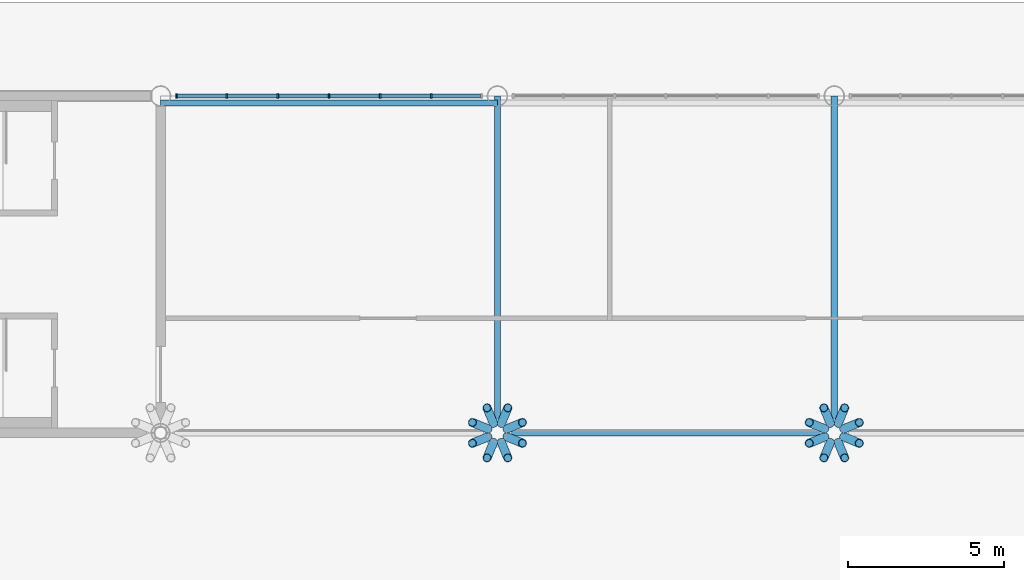
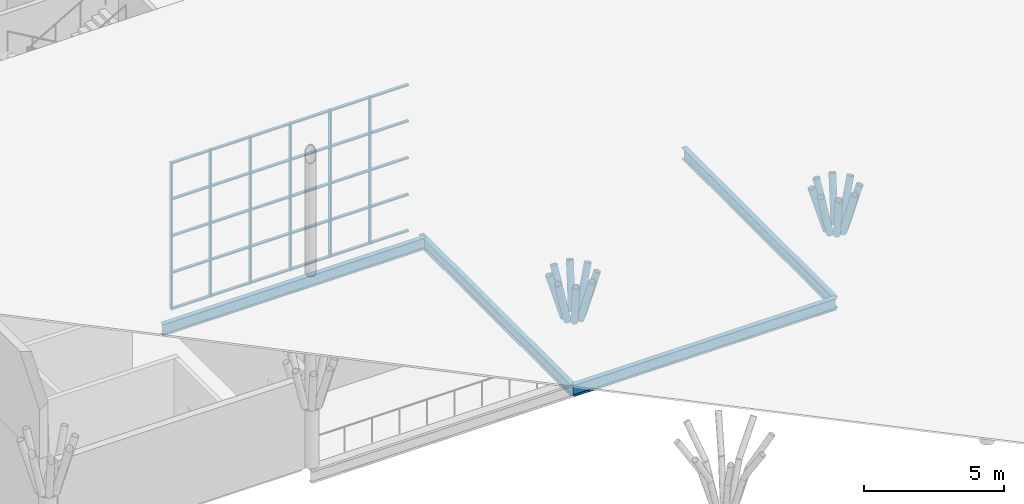
# One storey, part 12 of 56: 52 members, 4 beams, 1 element without a shape of its own.
"""IFC4 building model written with IfcOpenShell, lengths in metres."""

from ifc_helpers import new_model, si_unit, direction, frame, origin, origin_2d, place, context, subcontext, project, spatial, rectangle, hollow_circle, i_section, extrude, material, layer, layer_set, material_profile, profile_set, type_object, element, aggregate, save


model = new_model("IFC4")

# Units and contexts
model_context = context("Model", 3, precision=1e-05, world=origin(), true_north=direction((0.0, 1.0)))
body_context = subcontext(model_context, "Body", "Model", "MODEL_VIEW")
ifc_project = project(units=[si_unit("LENGTHUNIT", "METRE"), si_unit("AREAUNIT", "SQUARE_METRE"), si_unit("VOLUMEUNIT", "CUBIC_METRE"), si_unit("PLANEANGLEUNIT", "RADIAN"), si_unit("MASSUNIT", "GRAM", prefix="KILO")], contexts=[model_context])

# Site, building, storey
site_placement = place(None, origin())
site = spatial("IfcSite", under=ifc_project, at=site_placement, CompositionType="ELEMENT")
building_placement = place(site_placement, origin())
building = spatial("IfcBuilding", under=site, at=building_placement, Name="Magnolia Steps Interchange", CompositionType="ELEMENT")
storey_placement = place(building_placement, frame((0.0, 0.0, 8.699951171875)))
storey = spatial("IfcBuildingStorey", under=building, at=storey_placement, Name="L02", CompositionType="ELEMENT", Elevation=8.699951171875)

# Curtain wall, members
ifc_material_1 = material(Name="Powder-coated aluminium and glass", Category="aluminium")
ifc_layer = layer(ifc_material_1, 0.1201171875)
ifc_layer_set = layer_set([ifc_layer], Name="Hall clerestory curtain wall")
curtain_wall_type = type_object("IfcCurtainWallType", Name="Hall clerestory curtain wall", PredefinedType="NOTDEFINED", material=ifc_layer_set)
curtain_wall_placement = place(storey_placement, origin())
curtain_wall = element("IfcCurtainWall", 1, at=curtain_wall_placement, inside=storey, type_object=curtain_wall_type, Name="Hall clerestory N2", PredefinedType="NOTDEFINED")
ifc_material_2 = material(Name="White powder-coated aluminium", Category="aluminium")
ifc_material_profile_1 = material_profile(ifc_material_2, rectangle(XDim=0.06005859375, YDim=0.14990234375, at=origin_2d()), Name="Aluminium mullion 60 x 150")
ifc_profile_set_1 = profile_set([ifc_material_profile_1], Name="White powder-coated aluminium")
member_type_1 = type_object("IfcMemberType", Name="Aluminium mullion 60 x 150", PredefinedType="MULLION", material=ifc_profile_set_1)
member_1_placement = place(storey_placement, frame((64.510009765625, 85.60009765625, 0.0), z_axis=(0.0, 0.0, 1.0), x_axis=(1.0, 0.0, 0.0)))
member_1 = element("IfcMember", 2, at=member_1_placement, type_object=member_type_1, Name="CW6 mullion 1", PredefinedType="MULLION", context=body_context, shape_type="SweptSolid", body=[
    extrude(rectangle(XDim=0.06005859375, YDim=0.14990234375, at=origin_2d()), origin(), (0.0, 0.0, 1.0), 6.400146484375),
])
member_2_placement = place(storey_placement, frame((66.1201171875, 85.60009765625, 0.0), z_axis=(0.0, 0.0, 1.0), x_axis=(1.0, 0.0, 0.0)))
member_2 = element("IfcMember", 3, at=member_2_placement, type_object=member_type_1, Name="CW6 mullion 2", PredefinedType="MULLION", context=body_context, shape_type="SweptSolid", body=[
    extrude(rectangle(XDim=0.06005859375, YDim=0.14990234375, at=origin_2d()), origin(), (0.0, 0.0, 1.0), 6.400146484375),
])
member_3_placement = place(storey_placement, frame((67.760009765625, 85.60009765625, 0.0), z_axis=(0.0, 0.0, 1.0), x_axis=(1.0, 0.0, 0.0)))
member_3 = element("IfcMember", 4, at=member_3_placement, type_object=member_type_1, Name="CW6 mullion 3", PredefinedType="MULLION", context=body_context, shape_type="SweptSolid", body=[
    extrude(rectangle(XDim=0.06005859375, YDim=0.14990234375, at=origin_2d()), origin(), (0.0, 0.0, 1.0), 6.400146484375),
])
member_4_placement = place(storey_placement, frame((69.39990234375, 85.60009765625, 0.0), z_axis=(0.0, 0.0, 1.0), x_axis=(1.0, 0.0, 0.0)))
member_4 = element("IfcMember", 5, at=member_4_placement, type_object=member_type_1, Name="CW6 mullion 4", PredefinedType="MULLION", context=body_context, shape_type="SweptSolid", body=[
    extrude(rectangle(XDim=0.06005859375, YDim=0.14990234375, at=origin_2d()), origin(), (0.0, 0.0, 1.0), 6.400146484375),
])
member_5_placement = place(storey_placement, frame((71.0400390625, 85.60009765625, 0.0), z_axis=(0.0, 0.0, 1.0), x_axis=(1.0, 0.0, 0.0)))
member_5 = element("IfcMember", 6, at=member_5_placement, type_object=member_type_1, Name="CW6 mullion 5", PredefinedType="MULLION", context=body_context, shape_type="SweptSolid", body=[
    extrude(rectangle(XDim=0.06005859375, YDim=0.14990234375, at=origin_2d()), origin(), (0.0, 0.0, 1.0), 6.400146484375),
])
member_6_placement = place(storey_placement, frame((72.679931640625, 85.60009765625, 0.0), z_axis=(0.0, 0.0, 1.0), x_axis=(1.0, 0.0, 0.0)))
member_6 = element("IfcMember", 7, at=member_6_placement, type_object=member_type_1, Name="CW6 mullion 6", PredefinedType="MULLION", context=body_context, shape_type="SweptSolid", body=[
    extrude(rectangle(XDim=0.06005859375, YDim=0.14990234375, at=origin_2d()), origin(), (0.0, 0.0, 1.0), 6.400146484375),
])
ifc_material_3 = material(Name="White powder-coated aluminium", Category="aluminium")
ifc_material_profile_2 = material_profile(ifc_material_3, rectangle(XDim=0.06005859375, YDim=0.1201171875, at=origin_2d()), Name="Aluminium transom 60 x 120")
ifc_profile_set_2 = profile_set([ifc_material_profile_2], Name="White powder-coated aluminium")
member_type_2 = type_object("IfcMemberType", Name="Aluminium transom 60 x 120", PredefinedType="USERDEFINED", material=ifc_profile_set_2)
member_7_placement = place(storey_placement, frame((64.5400390625, 85.60009765625, 0.030029296875), z_axis=(1.0, 0.0, 0.0), x_axis=(0.0, 0.0, 1.0)))
member_7 = element("IfcMember", 8, at=member_7_placement, type_object=member_type_2, Name="CW6 transom 1.1", ObjectType="TRANSOM", PredefinedType="USERDEFINED", context=body_context, shape_type="SweptSolid", body=[
    extrude(rectangle(XDim=0.06005859375, YDim=0.1201171875, at=origin_2d()), origin(), (0.0, 0.0, 1.0), 1.550048828125),
])
member_8_placement = place(storey_placement, frame((64.5400390625, 85.60009765625, 1.60009765625), z_axis=(1.0, 0.0, 0.0), x_axis=(0.0, 0.0, 1.0)))
member_8 = element("IfcMember", 9, at=member_8_placement, type_object=member_type_2, Name="CW6 transom 1.2", ObjectType="TRANSOM", PredefinedType="USERDEFINED", context=body_context, shape_type="SweptSolid", body=[
    extrude(rectangle(XDim=0.06005859375, YDim=0.1201171875, at=origin_2d()), origin(), (0.0, 0.0, 1.0), 1.550048828125),
])
member_9_placement = place(storey_placement, frame((64.5400390625, 85.60009765625, 3.199951171875), z_axis=(1.0, 0.0, 0.0), x_axis=(0.0, 0.0, 1.0)))
member_9 = element("IfcMember", 10, at=member_9_placement, type_object=member_type_2, Name="CW6 transom 1.3", ObjectType="TRANSOM", PredefinedType="USERDEFINED", context=body_context, shape_type="SweptSolid", body=[
    extrude(rectangle(XDim=0.06005859375, YDim=0.1201171875, at=origin_2d()), origin(), (0.0, 0.0, 1.0), 1.550048828125),
])
member_10_placement = place(storey_placement, frame((64.5400390625, 85.60009765625, 4.800048828125), z_axis=(1.0, 0.0, 0.0), x_axis=(0.0, 0.0, 1.0)))
member_10 = element("IfcMember", 11, at=member_10_placement, type_object=member_type_2, Name="CW6 transom 1.4", ObjectType="TRANSOM", PredefinedType="USERDEFINED", context=body_context, shape_type="SweptSolid", body=[
    extrude(rectangle(XDim=0.06005859375, YDim=0.1201171875, at=origin_2d()), origin(), (0.0, 0.0, 1.0), 1.550048828125),
])
member_11_placement = place(storey_placement, frame((64.5400390625, 85.60009765625, 6.3701171875), z_axis=(1.0, 0.0, 0.0), x_axis=(0.0, 0.0, 1.0)))
member_11 = element("IfcMember", 12, at=member_11_placement, type_object=member_type_2, Name="CW6 transom 1.5", ObjectType="TRANSOM", PredefinedType="USERDEFINED", context=body_context, shape_type="SweptSolid", body=[
    extrude(rectangle(XDim=0.06005859375, YDim=0.1201171875, at=origin_2d()), origin(), (0.0, 0.0, 1.0), 1.550048828125),
])
member_12_placement = place(storey_placement, frame((66.14990234375, 85.60009765625, 0.030029296875), z_axis=(1.0, 0.0, 0.0), x_axis=(0.0, 0.0, 1.0)))
member_12 = element("IfcMember", 13, at=member_12_placement, type_object=member_type_2, Name="CW6 transom 2.1", ObjectType="TRANSOM", PredefinedType="USERDEFINED", context=body_context, shape_type="SweptSolid", body=[
    extrude(rectangle(XDim=0.06005859375, YDim=0.1201171875, at=origin_2d()), origin(), (0.0, 0.0, 1.0), 1.580078125),
])
member_13_placement = place(storey_placement, frame((66.14990234375, 85.60009765625, 1.60009765625), z_axis=(1.0, 0.0, 0.0), x_axis=(0.0, 0.0, 1.0)))
member_13 = element("IfcMember", 14, at=member_13_placement, type_object=member_type_2, Name="CW6 transom 2.2", ObjectType="TRANSOM", PredefinedType="USERDEFINED", context=body_context, shape_type="SweptSolid", body=[
    extrude(rectangle(XDim=0.06005859375, YDim=0.1201171875, at=origin_2d()), origin(), (0.0, 0.0, 1.0), 1.580078125),
])
member_14_placement = place(storey_placement, frame((66.14990234375, 85.60009765625, 3.199951171875), z_axis=(1.0, 0.0, 0.0), x_axis=(0.0, 0.0, 1.0)))
member_14 = element("IfcMember", 15, at=member_14_placement, type_object=member_type_2, Name="CW6 transom 2.3", ObjectType="TRANSOM", PredefinedType="USERDEFINED", context=body_context, shape_type="SweptSolid", body=[
    extrude(rectangle(XDim=0.06005859375, YDim=0.1201171875, at=origin_2d()), origin(), (0.0, 0.0, 1.0), 1.580078125),
])
member_15_placement = place(storey_placement, frame((66.14990234375, 85.60009765625, 4.800048828125), z_axis=(1.0, 0.0, 0.0), x_axis=(0.0, 0.0, 1.0)))
member_15 = element("IfcMember", 16, at=member_15_placement, type_object=member_type_2, Name="CW6 transom 2.4", ObjectType="TRANSOM", PredefinedType="USERDEFINED", context=body_context, shape_type="SweptSolid", body=[
    extrude(rectangle(XDim=0.06005859375, YDim=0.1201171875, at=origin_2d()), origin(), (0.0, 0.0, 1.0), 1.580078125),
])
member_16_placement = place(storey_placement, frame((66.14990234375, 85.60009765625, 6.3701171875), z_axis=(1.0, 0.0, 0.0), x_axis=(0.0, 0.0, 1.0)))
member_16 = element("IfcMember", 17, at=member_16_placement, type_object=member_type_2, Name="CW6 transom 2.5", ObjectType="TRANSOM", PredefinedType="USERDEFINED", context=body_context, shape_type="SweptSolid", body=[
    extrude(rectangle(XDim=0.06005859375, YDim=0.1201171875, at=origin_2d()), origin(), (0.0, 0.0, 1.0), 1.580078125),
])
member_17_placement = place(storey_placement, frame((67.7900390625, 85.60009765625, 0.030029296875), z_axis=(1.0, 0.0, 0.0), x_axis=(0.0, 0.0, 1.0)))
member_17 = element("IfcMember", 18, at=member_17_placement, type_object=member_type_2, Name="CW6 transom 3.1", ObjectType="TRANSOM", PredefinedType="USERDEFINED", context=body_context, shape_type="SweptSolid", body=[
    extrude(rectangle(XDim=0.06005859375, YDim=0.1201171875, at=origin_2d()), origin(), (0.0, 0.0, 1.0), 1.580078125),
])
member_18_placement = place(storey_placement, frame((67.7900390625, 85.60009765625, 1.60009765625), z_axis=(1.0, 0.0, 0.0), x_axis=(0.0, 0.0, 1.0)))
member_18 = element("IfcMember", 19, at=member_18_placement, type_object=member_type_2, Name="CW6 transom 3.2", ObjectType="TRANSOM", PredefinedType="USERDEFINED", context=body_context, shape_type="SweptSolid", body=[
    extrude(rectangle(XDim=0.06005859375, YDim=0.1201171875, at=origin_2d()), origin(), (0.0, 0.0, 1.0), 1.580078125),
])
member_19_placement = place(storey_placement, frame((67.7900390625, 85.60009765625, 3.199951171875), z_axis=(1.0, 0.0, 0.0), x_axis=(0.0, 0.0, 1.0)))
member_19 = element("IfcMember", 20, at=member_19_placement, type_object=member_type_2, Name="CW6 transom 3.3", ObjectType="TRANSOM", PredefinedType="USERDEFINED", context=body_context, shape_type="SweptSolid", body=[
    extrude(rectangle(XDim=0.06005859375, YDim=0.1201171875, at=origin_2d()), origin(), (0.0, 0.0, 1.0), 1.580078125),
])
member_20_placement = place(storey_placement, frame((67.7900390625, 85.60009765625, 4.800048828125), z_axis=(1.0, 0.0, 0.0), x_axis=(0.0, 0.0, 1.0)))
member_20 = element("IfcMember", 21, at=member_20_placement, type_object=member_type_2, Name="CW6 transom 3.4", ObjectType="TRANSOM", PredefinedType="USERDEFINED", context=body_context, shape_type="SweptSolid", body=[
    extrude(rectangle(XDim=0.06005859375, YDim=0.1201171875, at=origin_2d()), origin(), (0.0, 0.0, 1.0), 1.580078125),
])
member_21_placement = place(storey_placement, frame((67.7900390625, 85.60009765625, 6.3701171875), z_axis=(1.0, 0.0, 0.0), x_axis=(0.0, 0.0, 1.0)))
member_21 = element("IfcMember", 22, at=member_21_placement, type_object=member_type_2, Name="CW6 transom 3.5", ObjectType="TRANSOM", PredefinedType="USERDEFINED", context=body_context, shape_type="SweptSolid", body=[
    extrude(rectangle(XDim=0.06005859375, YDim=0.1201171875, at=origin_2d()), origin(), (0.0, 0.0, 1.0), 1.580078125),
])
member_22_placement = place(storey_placement, frame((69.429931640625, 85.60009765625, 0.030029296875), z_axis=(1.0, 0.0, 0.0), x_axis=(0.0, 0.0, 1.0)))
member_22 = element("IfcMember", 23, at=member_22_placement, type_object=member_type_2, Name="CW6 transom 4.1", ObjectType="TRANSOM", PredefinedType="USERDEFINED", context=body_context, shape_type="SweptSolid", body=[
    extrude(rectangle(XDim=0.06005859375, YDim=0.1201171875, at=origin_2d()), origin(), (0.0, 0.0, 1.0), 1.580078125),
])
member_23_placement = place(storey_placement, frame((69.429931640625, 85.60009765625, 1.60009765625), z_axis=(1.0, 0.0, 0.0), x_axis=(0.0, 0.0, 1.0)))
member_23 = element("IfcMember", 24, at=member_23_placement, type_object=member_type_2, Name="CW6 transom 4.2", ObjectType="TRANSOM", PredefinedType="USERDEFINED", context=body_context, shape_type="SweptSolid", body=[
    extrude(rectangle(XDim=0.06005859375, YDim=0.1201171875, at=origin_2d()), origin(), (0.0, 0.0, 1.0), 1.580078125),
])
member_24_placement = place(storey_placement, frame((69.429931640625, 85.60009765625, 3.199951171875), z_axis=(1.0, 0.0, 0.0), x_axis=(0.0, 0.0, 1.0)))
member_24 = element("IfcMember", 25, at=member_24_placement, type_object=member_type_2, Name="CW6 transom 4.3", ObjectType="TRANSOM", PredefinedType="USERDEFINED", context=body_context, shape_type="SweptSolid", body=[
    extrude(rectangle(XDim=0.06005859375, YDim=0.1201171875, at=origin_2d()), origin(), (0.0, 0.0, 1.0), 1.580078125),
])
member_25_placement = place(storey_placement, frame((69.429931640625, 85.60009765625, 4.800048828125), z_axis=(1.0, 0.0, 0.0), x_axis=(0.0, 0.0, 1.0)))
member_25 = element("IfcMember", 26, at=member_25_placement, type_object=member_type_2, Name="CW6 transom 4.4", ObjectType="TRANSOM", PredefinedType="USERDEFINED", context=body_context, shape_type="SweptSolid", body=[
    extrude(rectangle(XDim=0.06005859375, YDim=0.1201171875, at=origin_2d()), origin(), (0.0, 0.0, 1.0), 1.580078125),
])
member_26_placement = place(storey_placement, frame((69.429931640625, 85.60009765625, 6.3701171875), z_axis=(1.0, 0.0, 0.0), x_axis=(0.0, 0.0, 1.0)))
member_26 = element("IfcMember", 27, at=member_26_placement, type_object=member_type_2, Name="CW6 transom 4.5", ObjectType="TRANSOM", PredefinedType="USERDEFINED", context=body_context, shape_type="SweptSolid", body=[
    extrude(rectangle(XDim=0.06005859375, YDim=0.1201171875, at=origin_2d()), origin(), (0.0, 0.0, 1.0), 1.580078125),
])
member_27_placement = place(storey_placement, frame((71.070068359375, 85.60009765625, 0.030029296875), z_axis=(1.0, 0.0, 0.0), x_axis=(0.0, 0.0, 1.0)))
member_27 = element("IfcMember", 28, at=member_27_placement, type_object=member_type_2, Name="CW6 transom 5.1", ObjectType="TRANSOM", PredefinedType="USERDEFINED", context=body_context, shape_type="SweptSolid", body=[
    extrude(rectangle(XDim=0.06005859375, YDim=0.1201171875, at=origin_2d()), origin(), (0.0, 0.0, 1.0), 1.579833984375),
])
member_28_placement = place(storey_placement, frame((71.070068359375, 85.60009765625, 1.60009765625), z_axis=(1.0, 0.0, 0.0), x_axis=(0.0, 0.0, 1.0)))
member_28 = element("IfcMember", 29, at=member_28_placement, type_object=member_type_2, Name="CW6 transom 5.2", ObjectType="TRANSOM", PredefinedType="USERDEFINED", context=body_context, shape_type="SweptSolid", body=[
    extrude(rectangle(XDim=0.06005859375, YDim=0.1201171875, at=origin_2d()), origin(), (0.0, 0.0, 1.0), 1.579833984375),
])
member_29_placement = place(storey_placement, frame((71.070068359375, 85.60009765625, 3.199951171875), z_axis=(1.0, 0.0, 0.0), x_axis=(0.0, 0.0, 1.0)))
member_29 = element("IfcMember", 30, at=member_29_placement, type_object=member_type_2, Name="CW6 transom 5.3", ObjectType="TRANSOM", PredefinedType="USERDEFINED", context=body_context, shape_type="SweptSolid", body=[
    extrude(rectangle(XDim=0.06005859375, YDim=0.1201171875, at=origin_2d()), origin(), (0.0, 0.0, 1.0), 1.579833984375),
])
member_30_placement = place(storey_placement, frame((71.070068359375, 85.60009765625, 4.800048828125), z_axis=(1.0, 0.0, 0.0), x_axis=(0.0, 0.0, 1.0)))
member_30 = element("IfcMember", 31, at=member_30_placement, type_object=member_type_2, Name="CW6 transom 5.4", ObjectType="TRANSOM", PredefinedType="USERDEFINED", context=body_context, shape_type="SweptSolid", body=[
    extrude(rectangle(XDim=0.06005859375, YDim=0.1201171875, at=origin_2d()), origin(), (0.0, 0.0, 1.0), 1.579833984375),
])
member_31_placement = place(storey_placement, frame((71.070068359375, 85.60009765625, 6.3701171875), z_axis=(1.0, 0.0, 0.0), x_axis=(0.0, 0.0, 1.0)))
member_31 = element("IfcMember", 32, at=member_31_placement, type_object=member_type_2, Name="CW6 transom 5.5", ObjectType="TRANSOM", PredefinedType="USERDEFINED", context=body_context, shape_type="SweptSolid", body=[
    extrude(rectangle(XDim=0.06005859375, YDim=0.1201171875, at=origin_2d()), origin(), (0.0, 0.0, 1.0), 1.579833984375),
])
member_32_placement = place(storey_placement, frame((72.7099609375, 85.60009765625, 0.030029296875), z_axis=(1.0, 0.0, 0.0), x_axis=(0.0, 0.0, 1.0)))
member_32 = element("IfcMember", 33, at=member_32_placement, type_object=member_type_2, Name="CW6 transom 6.1", ObjectType="TRANSOM", PredefinedType="USERDEFINED", context=body_context, shape_type="SweptSolid", body=[
    extrude(rectangle(XDim=0.06005859375, YDim=0.1201171875, at=origin_2d()), origin(), (0.0, 0.0, 1.0), 1.550048828125),
])
member_33_placement = place(storey_placement, frame((72.7099609375, 85.60009765625, 1.60009765625), z_axis=(1.0, 0.0, 0.0), x_axis=(0.0, 0.0, 1.0)))
member_33 = element("IfcMember", 34, at=member_33_placement, type_object=member_type_2, Name="CW6 transom 6.2", ObjectType="TRANSOM", PredefinedType="USERDEFINED", context=body_context, shape_type="SweptSolid", body=[
    extrude(rectangle(XDim=0.06005859375, YDim=0.1201171875, at=origin_2d()), origin(), (0.0, 0.0, 1.0), 1.550048828125),
])
member_34_placement = place(storey_placement, frame((72.7099609375, 85.60009765625, 3.199951171875), z_axis=(1.0, 0.0, 0.0), x_axis=(0.0, 0.0, 1.0)))
member_34 = element("IfcMember", 35, at=member_34_placement, type_object=member_type_2, Name="CW6 transom 6.3", ObjectType="TRANSOM", PredefinedType="USERDEFINED", context=body_context, shape_type="SweptSolid", body=[
    extrude(rectangle(XDim=0.06005859375, YDim=0.1201171875, at=origin_2d()), origin(), (0.0, 0.0, 1.0), 1.550048828125),
])
member_35_placement = place(storey_placement, frame((72.7099609375, 85.60009765625, 4.800048828125), z_axis=(1.0, 0.0, 0.0), x_axis=(0.0, 0.0, 1.0)))
member_35 = element("IfcMember", 36, at=member_35_placement, type_object=member_type_2, Name="CW6 transom 6.4", ObjectType="TRANSOM", PredefinedType="USERDEFINED", context=body_context, shape_type="SweptSolid", body=[
    extrude(rectangle(XDim=0.06005859375, YDim=0.1201171875, at=origin_2d()), origin(), (0.0, 0.0, 1.0), 1.550048828125),
])
member_36_placement = place(storey_placement, frame((72.7099609375, 85.60009765625, 6.3701171875), z_axis=(1.0, 0.0, 0.0), x_axis=(0.0, 0.0, 1.0)))
member_36 = element("IfcMember", 37, at=member_36_placement, type_object=member_type_2, Name="CW6 transom 6.5", ObjectType="TRANSOM", PredefinedType="USERDEFINED", context=body_context, shape_type="SweptSolid", body=[
    extrude(rectangle(XDim=0.06005859375, YDim=0.1201171875, at=origin_2d()), origin(), (0.0, 0.0, 1.0), 1.550048828125),
])
aggregate(curtain_wall, [member_1, member_2, member_3, member_4, member_5, member_6, member_7, member_8, member_9, member_10, member_11, member_12, member_13, member_14, member_15, member_16, member_17, member_18, member_19, member_20, member_21, member_22, member_23, member_24, member_25, member_26, member_27, member_28, member_29, member_30, member_31, member_32, member_33, member_34, member_35, member_36])

# Beams
ifc_material_4 = material(Name="Steel Q355B", Category="steel")
ifc_material_profile_3 = material_profile(ifc_material_4, i_section(OverallWidth=0.199951171875, OverallDepth=0.5, WebThickness=0.010009765625, FlangeThickness=0.01611328125, FilletRadius=0.02001953125, at=origin_2d()), Name="HN500x200")
ifc_profile_set_3 = profile_set([ifc_material_profile_3], Name="Steel Q355B")
beam_type = type_object("IfcBeamType", Name="Steel composite beam HN500x200", PredefinedType="BEAM", material=ifc_profile_set_3)
for number, where, z_axis, x_axis, name in (
    (38, (74.800048828125, 74.800048828125, -0.550048828125), (1.0, 0.0, 0.0), (0.0, 1.0, 0.0), "Beam L02 G 7-8"),
    (39, (64.0, 85.3798828125, -0.550048828125), (1.0, 0.0, 0.0), (0.0, 1.0, 0.0), "Beam L02 H 6-7"),
    (40, (74.800048828125, 74.800048828125, -0.550048828125), (0.0, 1.0, 0.0), (-1.0, 0.0, 0.0), "Beam L02 7 G-H"),
    (41, (85.60009765625, 74.800048828125, -0.550048828125), (0.0, 1.0, 0.0), (-1.0, 0.0, 0.0), "Beam L02 8 G-H"),
):
    element("IfcBeam", number, at=place(storey_placement, frame(where, z_axis=z_axis, x_axis=x_axis)), inside=storey, type_object=beam_type, Name=name, PredefinedType="BEAM", context=body_context, shape_type="SweptSolid", body=[
        extrude(i_section(OverallWidth=0.199951171875, OverallDepth=0.5, WebThickness=0.010009765625, FlangeThickness=0.01611328125, FilletRadius=0.02001953125, at=origin_2d()), origin(), (0.0, 0.0, 1.0), 10.800048828125),
    ])

# Members
ifc_material_5 = material(Name="Steel Q355B", Category="steel")
ifc_material_profile_4 = material_profile(ifc_material_5, hollow_circle(Radius=0.136474609375, WallThickness=0.013916015625, at=origin_2d()), Name="CHS273x14")
ifc_profile_set_4 = profile_set([ifc_material_profile_4], Name="Steel Q355B")
member_type_3 = type_object("IfcMemberType", Name="Tree rib CHS273x14", PredefinedType="USERDEFINED", material=ifc_profile_set_4)
for number, where, z_axis, x_axis, name in (
    (42, (75.10498046875, 74.92626953125, 2.645751953125), (0.254661831218, 0.105558015292, 0.961251713719), (-0.382911401564, 0.923785071622, 0.0), "Tree rib TH03D"),
    (43, (74.92626953125, 75.10498046875, 2.645751953125), (0.105558015292, 0.254661831218, 0.961251713719), (-0.923785071622, 0.382911401564, 0.0), "Tree rib TH03D"),
):
    element("IfcMember", number, at=place(storey_placement, frame(where, z_axis=z_axis, x_axis=x_axis)), inside=storey, type_object=member_type_3, Name=name, ObjectType="TREE RIB", PredefinedType="USERDEFINED", context=body_context, shape_type="SweptSolid", body=[
        extrude(hollow_circle(Radius=0.136474609375, WallThickness=0.013916015625, at=origin_2d()), origin(), (0.0, 0.0, 1.0), 1.956787109375),
    ])
member_37_placement = place(storey_placement, frame((74.673583984375, 75.10498046875, 2.645751953125), z_axis=(-0.10543463007, 0.254665183401, 0.961264366938), x_axis=(-0.923945120737, -0.382525049986, 0.0)))
element("IfcMember", 44, at=member_37_placement, inside=storey, type_object=member_type_3, Name="Tree rib TH03D", ObjectType="TREE RIB", PredefinedType="USERDEFINED", context=body_context, shape_type="SweptSolid", body=[
    extrude(hollow_circle(Radius=0.136474609375, WallThickness=0.013916015625, at=origin_2d()), origin(), (0.0, 0.0, 1.0), 1.95654296875),
])
member_38_placement = place(storey_placement, frame((74.4951171875, 74.92626953125, 2.645751953125), z_axis=(-0.254661831218, 0.105558015292, 0.961251713719), x_axis=(-0.382911401564, -0.923785071622, 0.0)))
element("IfcMember", 45, at=member_38_placement, inside=storey, type_object=member_type_3, Name="Tree rib TH03D", ObjectType="TREE RIB", PredefinedType="USERDEFINED", context=body_context, shape_type="SweptSolid", body=[
    extrude(hollow_circle(Radius=0.136474609375, WallThickness=0.013916015625, at=origin_2d()), origin(), (0.0, 0.0, 1.0), 1.956787109375),
])
for number, where, z_axis, x_axis, name in (
    (46, (74.4951171875, 74.673583984375, 2.645751953125), (-0.254665183401, -0.10543463007, 0.961264366938), (0.382525049986, -0.923945120737, 0.0), "Tree rib TH03D"),
    (47, (74.673583984375, 74.4951171875, 2.645751953125), (-0.10543463007, -0.254665183401, 0.961264366938), (0.923945120737, -0.382525049986, 0.0), "Tree rib TH03D"),
):
    element("IfcMember", number, at=place(storey_placement, frame(where, z_axis=z_axis, x_axis=x_axis)), inside=storey, type_object=member_type_3, Name=name, ObjectType="TREE RIB", PredefinedType="USERDEFINED", context=body_context, shape_type="SweptSolid", body=[
        extrude(hollow_circle(Radius=0.136474609375, WallThickness=0.013916015625, at=origin_2d()), origin(), (0.0, 0.0, 1.0), 1.95654296875),
    ])
member_39_placement = place(storey_placement, frame((74.92626953125, 74.4951171875, 2.645751953125), z_axis=(0.105558015292, -0.254661831218, 0.961251713719), x_axis=(0.923785071622, 0.382911401564, 0.0)))
element("IfcMember", 48, at=member_39_placement, inside=storey, type_object=member_type_3, Name="Tree rib TH03D", ObjectType="TREE RIB", PredefinedType="USERDEFINED", context=body_context, shape_type="SweptSolid", body=[
    extrude(hollow_circle(Radius=0.136474609375, WallThickness=0.013916015625, at=origin_2d()), origin(), (0.0, 0.0, 1.0), 1.956787109375),
])
member_40_placement = place(storey_placement, frame((75.10498046875, 74.673583984375, 2.645751953125), z_axis=(0.254665183401, -0.10543463007, 0.961264366938), x_axis=(0.382525049986, 0.923945120737, 0.0)))
element("IfcMember", 49, at=member_40_placement, inside=storey, type_object=member_type_3, Name="Tree rib TH03D", ObjectType="TREE RIB", PredefinedType="USERDEFINED", context=body_context, shape_type="SweptSolid", body=[
    extrude(hollow_circle(Radius=0.136474609375, WallThickness=0.013916015625, at=origin_2d()), origin(), (0.0, 0.0, 1.0), 1.95654296875),
])
member_41_placement = place(storey_placement, frame((85.90478515625, 74.92626953125, 2.645751953125), z_axis=(0.25477850686, 0.10555466053, 0.96122116398), x_axis=(-0.382751360581, 0.923851392797, 0.0)))
element("IfcMember", 50, at=member_41_placement, inside=storey, type_object=member_type_3, Name="Tree rib TH04D", ObjectType="TREE RIB", PredefinedType="USERDEFINED", context=body_context, shape_type="SweptSolid", body=[
    extrude(hollow_circle(Radius=0.136474609375, WallThickness=0.013916015625, at=origin_2d()), origin(), (0.0, 0.0, 1.0), 1.956787109375),
])
for number, where, z_axis, x_axis, name in (
    (51, (85.726318359375, 75.10498046875, 2.645751953125), (0.10543463007, 0.254665183401, 0.961264366938), (-0.923945120737, 0.382525049986, 0.0), "Tree rib TH04D"),
    (52, (85.4736328125, 75.10498046875, 2.645751953125), (-0.10543463007, 0.254665183401, 0.961264366938), (-0.923945120737, -0.382525049986, 0.0), "Tree rib TH04D"),
):
    element("IfcMember", number, at=place(storey_placement, frame(where, z_axis=z_axis, x_axis=x_axis)), inside=storey, type_object=member_type_3, Name=name, ObjectType="TREE RIB", PredefinedType="USERDEFINED", context=body_context, shape_type="SweptSolid", body=[
        extrude(hollow_circle(Radius=0.136474609375, WallThickness=0.013916015625, at=origin_2d()), origin(), (0.0, 0.0, 1.0), 1.95654296875),
    ])
member_42_placement = place(storey_placement, frame((85.295166015625, 74.92626953125, 2.645751953125), z_axis=(-0.254661831218, 0.105558015292, 0.961251713719), x_axis=(-0.382911401564, -0.923785071622, 0.0)))
element("IfcMember", 53, at=member_42_placement, inside=storey, type_object=member_type_3, Name="Tree rib TH04D", ObjectType="TREE RIB", PredefinedType="USERDEFINED", context=body_context, shape_type="SweptSolid", body=[
    extrude(hollow_circle(Radius=0.136474609375, WallThickness=0.013916015625, at=origin_2d()), origin(), (0.0, 0.0, 1.0), 1.956787109375),
])
for number, where, z_axis, x_axis, name in (
    (54, (85.295166015625, 74.673583984375, 2.645751953125), (-0.254665183401, -0.10543463007, 0.961264366938), (0.382525049986, -0.923945120737, 0.0), "Tree rib TH04D"),
    (55, (85.4736328125, 74.4951171875, 2.645751953125), (-0.10543463007, -0.254665183401, 0.961264366938), (0.923945120737, -0.382525049986, 0.0), "Tree rib TH04D"),
    (56, (85.726318359375, 74.4951171875, 2.645751953125), (0.10543463007, -0.254665183401, 0.961264366938), (0.923945120737, 0.382525049986, 0.0), "Tree rib TH04D"),
):
    element("IfcMember", number, at=place(storey_placement, frame(where, z_axis=z_axis, x_axis=x_axis)), inside=storey, type_object=member_type_3, Name=name, ObjectType="TREE RIB", PredefinedType="USERDEFINED", context=body_context, shape_type="SweptSolid", body=[
        extrude(hollow_circle(Radius=0.136474609375, WallThickness=0.013916015625, at=origin_2d()), origin(), (0.0, 0.0, 1.0), 1.95654296875),
    ])
member_43_placement = place(storey_placement, frame((85.90478515625, 74.673583984375, 2.645751953125), z_axis=(0.254781860366, -0.105431279142, 0.961233815992), x_axis=(0.382365115113, 0.924011319598, 0.0)))
element("IfcMember", 57, at=member_43_placement, inside=storey, type_object=member_type_3, Name="Tree rib TH04D", ObjectType="TREE RIB", PredefinedType="USERDEFINED", context=body_context, shape_type="SweptSolid", body=[
    extrude(hollow_circle(Radius=0.136474609375, WallThickness=0.013916015625, at=origin_2d()), origin(), (0.0, 0.0, 1.0), 1.956787109375),
])

save(model, "model.ifc")
